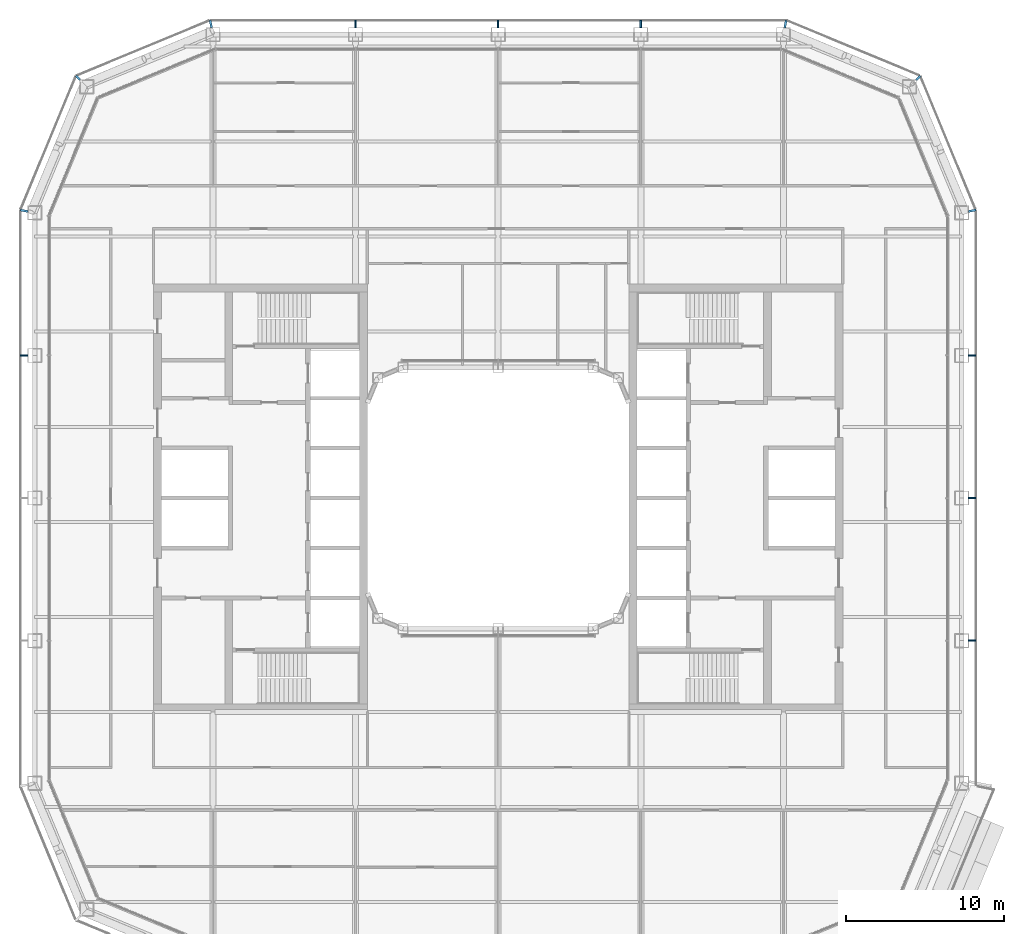
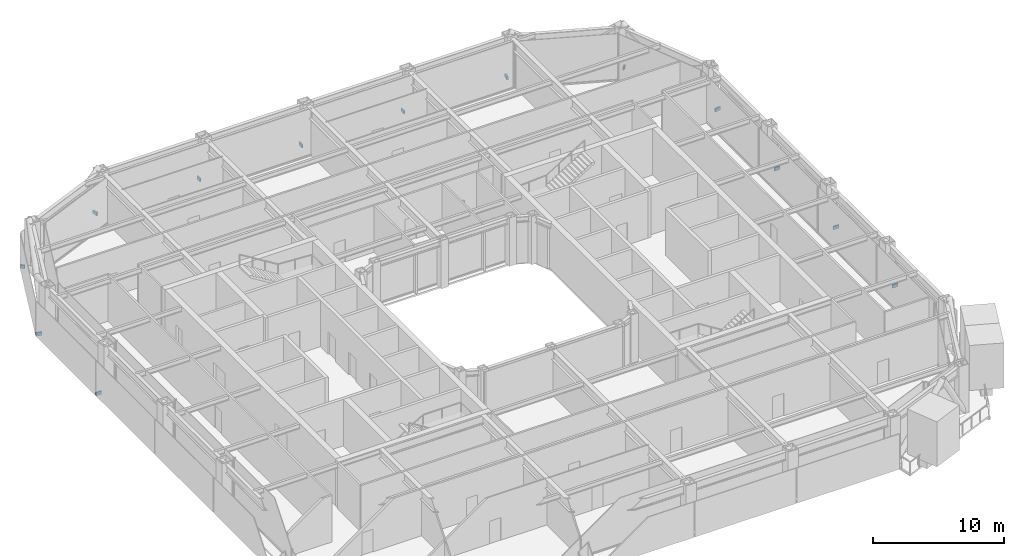
# One storey, part 17 of 23: 13 discrete accessories.
"""IFC4 building model written with IfcOpenShell, lengths in metres."""

from ifc_helpers import new_model, si_unit, direction, frame, origin, origin_2d, place, context, subcontext, project, spatial, rectangle, extrude, material, type_object, element, save


model = new_model("IFC4")

# Units and contexts
model_context = context("Model", 3, precision=1e-05, world=origin(), true_north=direction((0.0, 1.0)))
body_context = subcontext(model_context, "Body", "Model", "MODEL_VIEW")
ifc_project = project(units=[si_unit("LENGTHUNIT", "METRE"), si_unit("AREAUNIT", "SQUARE_METRE"), si_unit("VOLUMEUNIT", "CUBIC_METRE"), si_unit("PLANEANGLEUNIT", "RADIAN"), si_unit("MASSUNIT", "GRAM", prefix="KILO")], contexts=[model_context])

# Site, building, storey
site_placement = place(None, origin())
site = spatial("IfcSite", under=ifc_project, at=site_placement, CompositionType="ELEMENT")
building_placement = place(site_placement, origin())
building = spatial("IfcBuilding", under=site, at=building_placement, Name="Siwar Civic Tower", CompositionType="ELEMENT")
storey_placement = place(building_placement, frame((0.0, 0.0, 145.199951171875)))
storey = spatial("IfcBuildingStorey", under=building, at=storey_placement, Name="L31", CompositionType="ELEMENT", Elevation=145.199951171875)

# Discrete accessories
ifc_material = material(Name="Stainless steel 316", Category="steel")
discrete_accessory_type = type_object("IfcDiscreteAccessoryType", Name="ENV-BRACKET", PredefinedType="BRACKET", material=ifc_material)
for number, where, z_axis, x_axis, name in (
    (1, (29.9150390625, -9.0, -0.14990234375), (0.0, 0.0, 1.0), (1.0, 0.0, 0.0), "Bracket outer skin joint E-01"),
    (2, (29.9150390625, 0.0, -0.14990234375), (0.0, 0.0, 1.0), (1.0, 0.0, 0.0), "Bracket outer skin joint E-02"),
    (3, (29.9150390625, 9.0, -0.14990234375), (0.0, 0.0, 1.0), (1.0, 0.0, 0.0), "Bracket outer skin joint E-03"),
    (4, (9.0, 29.9150390625, -0.14990234375), (0.0, 0.0, 1.0), (0.0, 1.0, 0.0), "Bracket outer skin joint N-01"),
    (5, (0.0, 29.9150390625, -0.14990234375), (0.0, 0.0, 1.0), (0.0, 1.0, 0.0), "Bracket outer skin joint N-02"),
    (6, (-9.0, 29.9150390625, -0.14990234375), (0.0, 0.0, 1.0), (0.0, 1.0, 0.0), "Bracket outer skin joint N-03"),
):
    element("IfcDiscreteAccessory", number, at=place(storey_placement, frame(where, z_axis=z_axis, x_axis=x_axis)), inside=storey, type_object=discrete_accessory_type, Name=name, PredefinedType="BRACKET", context=body_context, shape_type="SweptSolid", body=[
        extrude(rectangle(XDim=0.469970703125, YDim=0.10009765625, at=origin_2d()), origin(), (0.0, 0.0, 1.0), 0.300048828125),
    ])
discrete_accessory_1_placement = place(storey_placement, frame((29.915283203125, 18.13232421875, -0.14990234375), z_axis=(0.0, 0.0, 1.0), x_axis=(0.980785280403, 0.195090322016, 0.0)))
element("IfcDiscreteAccessory", 7, at=discrete_accessory_1_placement, inside=storey, type_object=discrete_accessory_type, Name="Bracket outer skin joint V04", PredefinedType="BRACKET", context=body_context, shape_type="SweptSolid", body=[
    extrude(rectangle(XDim=0.478759765625, YDim=0.13720703125, at=origin_2d()), origin(), (0.0, 0.0, 1.0), 0.300048828125),
])
discrete_accessory_2_placement = place(storey_placement, frame((26.517333984375, 26.517333984375, -0.14990234375), z_axis=(0.0, 0.0, 1.0), x_axis=(0.707106781187, 0.707106781187, 0.0)))
element("IfcDiscreteAccessory", 8, at=discrete_accessory_2_placement, inside=storey, type_object=discrete_accessory_type, Name="Bracket outer skin joint V05", PredefinedType="BRACKET", context=body_context, shape_type="SweptSolid", body=[
    extrude(rectangle(XDim=0.357666015625, YDim=0.12939453125, at=origin_2d()), origin(), (0.0, 0.0, 1.0), 0.300048828125),
])
for number, where, z_axis, x_axis, name in (
    (9, (18.13232421875, 29.915283203125, -0.14990234375), (0.0, 0.0, 1.0), (0.195090322016, 0.980785280403, 0.0), "Bracket outer skin joint V06"),
    (10, (-18.13232421875, 29.915283203125, -0.14990234375), (0.0, 0.0, 1.0), (-0.195090322016, 0.980785280403, 0.0), "Bracket outer skin joint V07"),
):
    element("IfcDiscreteAccessory", number, at=place(storey_placement, frame(where, z_axis=z_axis, x_axis=x_axis)), inside=storey, type_object=discrete_accessory_type, Name=name, PredefinedType="BRACKET", context=body_context, shape_type="SweptSolid", body=[
        extrude(rectangle(XDim=0.478759765625, YDim=0.13720703125, at=origin_2d()), origin(), (0.0, 0.0, 1.0), 0.300048828125),
    ])
discrete_accessory_3_placement = place(storey_placement, frame((-26.517333984375, 26.517333984375, -0.14990234375), z_axis=(0.0, 0.0, 1.0), x_axis=(-0.707106781187, 0.707106781187, 0.0)))
element("IfcDiscreteAccessory", 11, at=discrete_accessory_3_placement, inside=storey, type_object=discrete_accessory_type, Name="Bracket outer skin joint V08", PredefinedType="BRACKET", context=body_context, shape_type="SweptSolid", body=[
    extrude(rectangle(XDim=0.357666015625, YDim=0.12939453125, at=origin_2d()), origin(), (0.0, 0.0, 1.0), 0.300048828125),
])
discrete_accessory_4_placement = place(storey_placement, frame((-29.915283203125, 18.13232421875, -0.14990234375), z_axis=(0.0, 0.0, 1.0), x_axis=(-0.980785280403, 0.195090322016, 0.0)))
element("IfcDiscreteAccessory", 12, at=discrete_accessory_4_placement, inside=storey, type_object=discrete_accessory_type, Name="Bracket outer skin joint V09", PredefinedType="BRACKET", context=body_context, shape_type="SweptSolid", body=[
    extrude(rectangle(XDim=0.478759765625, YDim=0.13720703125, at=origin_2d()), origin(), (0.0, 0.0, 1.0), 0.300048828125),
])
discrete_accessory_5_placement = place(storey_placement, frame((-29.9150390625, 9.0, -0.14990234375), z_axis=(0.0, 0.0, 1.0), x_axis=(-1.0, 0.0, 0.0)))
element("IfcDiscreteAccessory", 13, at=discrete_accessory_5_placement, inside=storey, type_object=discrete_accessory_type, Name="Bracket outer skin joint W-01", PredefinedType="BRACKET", context=body_context, shape_type="SweptSolid", body=[
    extrude(rectangle(XDim=0.469970703125, YDim=0.10009765625, at=origin_2d()), origin(), (0.0, 0.0, 1.0), 0.300048828125),
])

save(model, "model.ifc")
